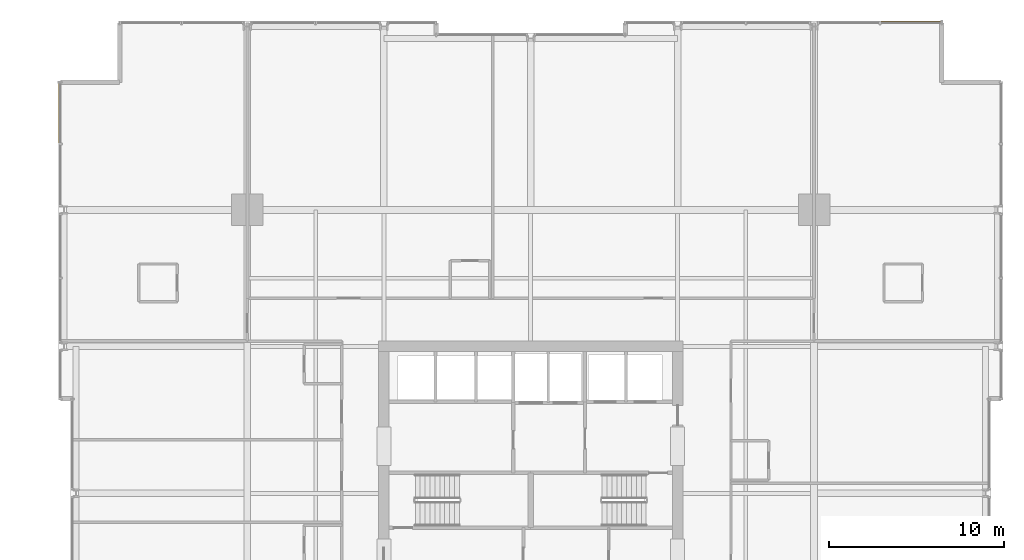
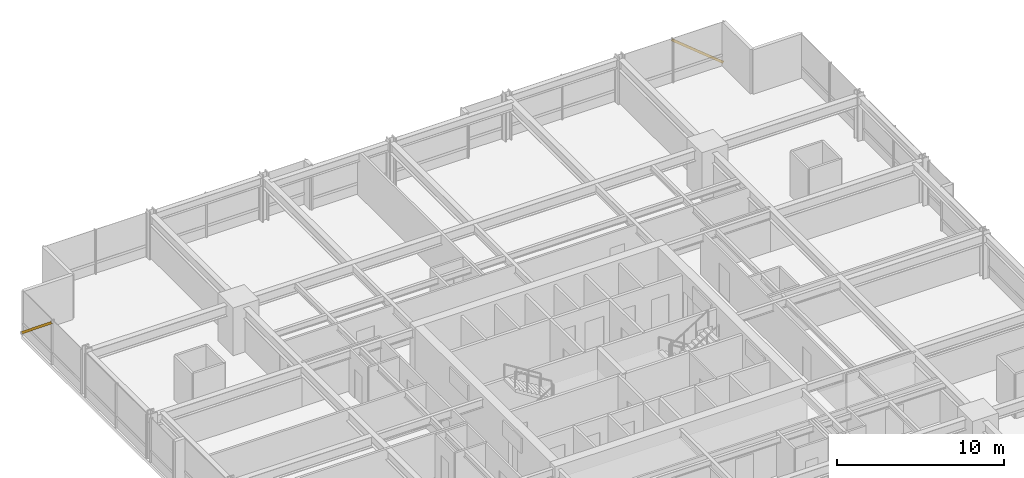
# One storey, part 37 of 37: 2 shading devices.
"""IFC4 building model written with IfcOpenShell, lengths in metres."""

from ifc_helpers import new_model, si_unit, direction, frame, origin, origin_2d, place, context, subcontext, project, spatial, hollow_rectangle, extrude, material, material_profile, profile_set, type_object, element, save


model = new_model("IFC4")

# Units and contexts
model_context = context("Model", 3, precision=1e-05, world=origin(), true_north=direction((0.0, 1.0)))
body_context = subcontext(model_context, "Body", "Model", "MODEL_VIEW")
ifc_project = project(units=[si_unit("LENGTHUNIT", "METRE"), si_unit("AREAUNIT", "SQUARE_METRE"), si_unit("VOLUMEUNIT", "CUBIC_METRE"), si_unit("PLANEANGLEUNIT", "RADIAN"), si_unit("MASSUNIT", "GRAM", prefix="KILO")], contexts=[model_context])

# Site, building, storey
site_placement = place(None, origin())
site = spatial("IfcSite", under=ifc_project, at=site_placement, CompositionType="ELEMENT")
building_placement = place(site_placement, origin())
building = spatial("IfcBuilding", under=site, at=building_placement, Name="Drelvath Grand Hotel", CompositionType="ELEMENT")
storey_placement = place(building_placement, frame((0.0, 0.0, 75.199951171875)))
storey = spatial("IfcBuildingStorey", under=building, at=storey_placement, Name="L18", CompositionType="ELEMENT", Elevation=75.199951171875)

# Shading devices
ifc_material = material(Name="Warm Bronze Anodised Aluminium", Category="aluminium")
ifc_material_profile = material_profile(ifc_material, hollow_rectangle(XDim=0.06494140625, YDim=0.159912109375, WallThickness=0.00390625, at=origin_2d()), Name="HSS160X65X4")
ifc_profile_set = profile_set([ifc_material_profile], Name="Warm Bronze Anodised Aluminium")
shading_device_type = type_object("IfcShadingDeviceType", Name="Diagonal Solar Fin Warm Bronze Anodised HSS160X65X4", PredefinedType="USERDEFINED", material=ifc_profile_set)
for number, where, z_axis, x_axis, name in (
    (1, (-26.9599609375, 50.5, 0.179931640625), (0.0, -0.775296156534, 0.631597870218), (1.0, 0.0, 0.0), "L18 Diagonal Anodised Fin CW02-L18-WN3"),
    (2, (23.5, 53.9599609375, 0.179931640625), (-0.775296156534, 0.0, 0.631597870218), (0.0, -1.0, 0.0), "L18 Diagonal Anodised Fin CW02-L18-NE3"),
):
    element("IfcShadingDevice", number, at=place(storey_placement, frame(where, z_axis=z_axis, x_axis=x_axis)), inside=storey, type_object=shading_device_type, Name=name, ObjectType="FIN", PredefinedType="USERDEFINED", context=body_context, shape_type="SweptSolid", body=[
        extrude(hollow_rectangle(XDim=0.06494140625, YDim=0.159912109375, WallThickness=0.00390625, at=origin_2d()), origin(), (0.0, 0.0, 1.0), 4.56005859375),
    ])

save(model, "model.ifc")
